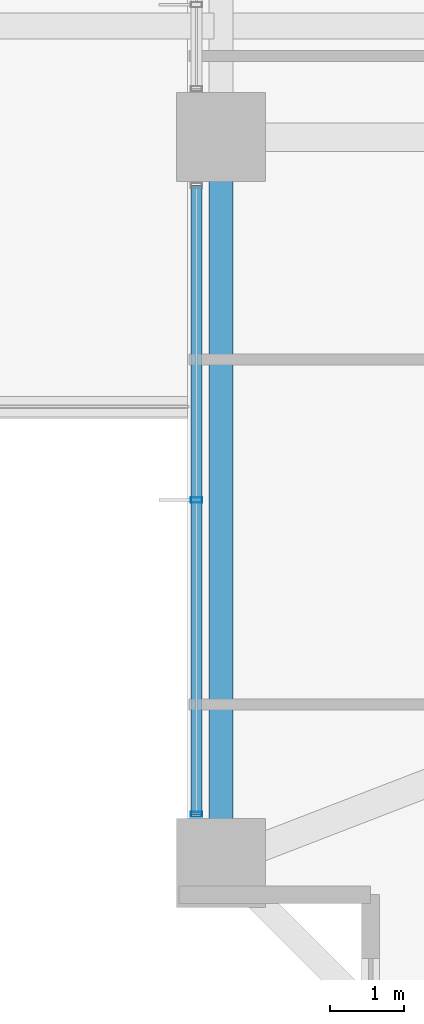
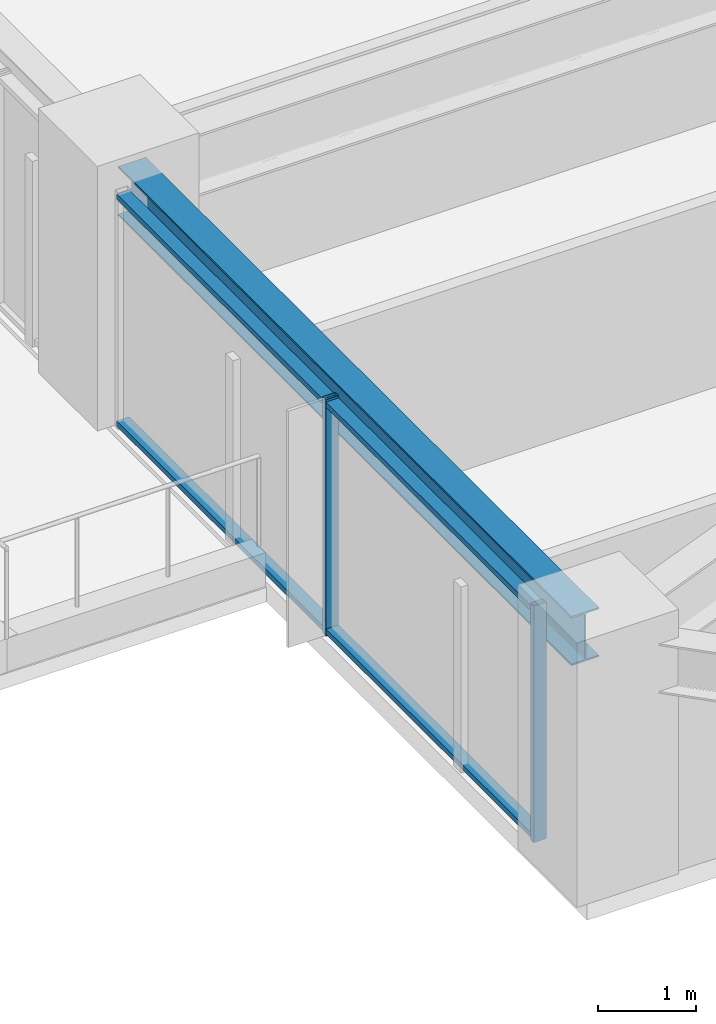
# One storey, part 3 of 38: 4 members, 1 beam, 1 element without a shape of its own.
"""IFC4 building model written with IfcOpenShell, lengths in metres."""

import ifcopenshell
import ifcopenshell.guid

model = None  # the IFC model being written
_history = None  # IfcOwnerHistory: only IFC2X3 demands one
_inside = {}  # id of a spatial element -> (the spatial element, [elements in it])
_under = {}  # id of a project, library or spatial element -> (it, [spatial elements below it])
_declared = {}  # id of a project -> (the project, [libraries it declares])
_typed = {}  # id of a type object -> (the type object, [elements of that type])
_made_of = {}  # id of a material, layer set ... -> (it, [elements and type objects made of it])


def new_model(schema):
    """Start an empty IFC model of exactly this schema.

    Asked for "IFC4X3", IfcOpenShell would pick the latest addendum, in which some entities
    have other attributes; the version numbers below select the first issue.
    IFC2X3 requires an IfcOwnerHistory on every rooted entity: one is made here for all.
    """
    global model, _history
    if schema == "IFC4X3":
        model = ifcopenshell.file(schema_version=(4, 3, 0, 0))
    else:
        model = ifcopenshell.file(schema=schema)
    _inside.clear()
    _under.clear()
    _declared.clear()
    _typed.clear()
    _made_of.clear()
    _history = None
    if model.schema == "IFC2X3":
        org = make("IfcOrganization", Name="unknown")
        user = make(
            "IfcPersonAndOrganization",
            ThePerson=make("IfcPerson", FamilyName="unknown"),
            TheOrganization=org,
        )
        app = make(
            "IfcApplication",
            ApplicationDeveloper=org,
            Version="unknown",
            ApplicationFullName="unknown",
            ApplicationIdentifier="unknown",
        )
        _history = make(
            "IfcOwnerHistory",
            OwningUser=user,
            OwningApplication=app,
            ChangeAction="ADDED",
            CreationDate=0,
        )
    return model


def make(cls, **values):
    """One entity of the class cls with the attributes given. An attribute that is None is left unset."""
    return model.create_entity(
        cls, **{name: value for name, value in values.items() if value is not None}
    )


def rooted(cls, **values):
    """An entity with a GlobalId (a new one), such as an element, a storey or a relation."""
    return make(cls, GlobalId=ifcopenshell.guid.new(), OwnerHistory=_history, **values)


def si_unit(unit_type, name, prefix=None):
    """IfcSIUnit, for example si_unit("LENGTHUNIT", "METRE", prefix="MILLI")."""
    return make("IfcSIUnit", UnitType=unit_type, Prefix=prefix, Name=name)


def assignment(units):
    """IfcUnitAssignment: the units of a project."""
    return None if units is None else make("IfcUnitAssignment", Units=units)


def point(xyz):
    """IfcCartesianPoint."""
    return None if xyz is None else make("IfcCartesianPoint", Coordinates=xyz)


def direction(xyz):
    """IfcDirection."""
    return None if xyz is None else make("IfcDirection", DirectionRatios=xyz)


def frame(location, z_axis=None, x_axis=None):
    """IfcAxis2Placement3D, a coordinate frame: its origin and axes. An axis left out is left unset."""
    return make(
        "IfcAxis2Placement3D",
        Location=point(location),
        Axis=direction(z_axis),
        RefDirection=direction(x_axis),
    )


def frame_2d(location, x_axis=None):
    """IfcAxis2Placement2D, a coordinate frame in the plane: its origin and x axis."""
    return make(
        "IfcAxis2Placement2D", Location=point(location), RefDirection=direction(x_axis)
    )


def origin():
    """The frame at (0, 0, 0) with its axes left unset."""
    return frame((0.0, 0.0, 0.0))


def origin_2d():
    """The frame at (0, 0) in the plane with its x axis left unset."""
    return frame_2d((0.0, 0.0))


def place(relative_to, where):
    """IfcLocalPlacement: puts the frame where relative to a parent placement (None: the world)."""
    return make(
        "IfcLocalPlacement", PlacementRelTo=relative_to, RelativePlacement=where
    )


def context(
    kind, dimensions, precision=None, world=None, true_north=None, identifier=None
):
    """IfcGeometricRepresentationContext, for example the 3D "Model" context."""
    return make(
        "IfcGeometricRepresentationContext",
        ContextIdentifier=identifier,
        ContextType=kind,
        CoordinateSpaceDimension=dimensions,
        Precision=precision,
        WorldCoordinateSystem=world,
        TrueNorth=true_north,
    )


def subcontext(parent, identifier, kind, view, scale=None):
    """IfcGeometricRepresentationSubContext, for example "Body" below "Model"."""
    return make(
        "IfcGeometricRepresentationSubContext",
        ContextIdentifier=identifier,
        ContextType=kind,
        ParentContext=parent,
        TargetScale=scale,
        TargetView=view,
    )


def project(units=None, contexts=None):
    """IfcProject with its units and contexts."""
    return rooted(
        "IfcProject",
        Name="project",
        RepresentationContexts=contexts,
        UnitsInContext=assignment(units),
    )


def spatial(cls, under=None, at=None, **own):
    """A site, building, storey or space (cls), placed at a placement, below another one or the project."""
    s = rooted(cls, ObjectPlacement=at, **own)
    if under is not None:
        _under.setdefault(under.id(), (under, []))[1].append(s)
    return s


def profile(cls, at=None, kind="AREA", **sizes):
    """A parametric profile (cls). Its sizes go by their IFC names, for example OverallWidth=200.0."""
    return make(cls, ProfileType=kind, Position=at, **sizes)


def hollow_rectangle(**sizes):
    """IfcRectangleHollowProfileDef."""
    return profile("IfcRectangleHollowProfileDef", **sizes)


def i_section(**sizes):
    """IfcIShapeProfileDef."""
    return profile("IfcIShapeProfileDef", **sizes)


def extrude(swept, where, along, depth):
    """IfcExtrudedAreaSolid: the profile swept, set in the frame where, extruded along a direction by depth."""
    return make(
        "IfcExtrudedAreaSolid",
        SweptArea=swept,
        Position=where,
        ExtrudedDirection=direction(along),
        Depth=depth,
    )


def shape(context_of_items, identifier, shape_type, items):
    """IfcShapeRepresentation: the items that make up one representation, for example the "Body"."""
    return make(
        "IfcShapeRepresentation",
        ContextOfItems=context_of_items,
        RepresentationIdentifier=identifier,
        RepresentationType=shape_type,
        Items=items,
    )


def material(Name=None, Category=None):
    """IfcMaterial."""
    return make("IfcMaterial", Name=Name, Category=Category)


def material_profile(
    of_material, cross_section, Name=None, Category=None, Priority=None
):
    """IfcMaterialProfile: a cross section and its material."""
    return make(
        "IfcMaterialProfile",
        Name=Name,
        Material=of_material,
        Profile=cross_section,
        Priority=Priority,
        Category=Category,
    )


def profile_set(profiles, Name=None, composite=None):
    """IfcMaterialProfileSet."""
    return make(
        "IfcMaterialProfileSet",
        Name=Name,
        MaterialProfiles=profiles,
        CompositeProfile=composite,
    )


def made_of(thing, what):
    """Note that an element or type object is made of a material, layer set ...; save() writes the relation."""
    if what is not None:
        _made_of.setdefault(what.id(), (what, []))[1].append(thing)
    return thing


def type_object(cls, material=None, **own):
    """A type object (cls), such as IfcWallType, which elements share."""
    return made_of(rooted(cls, **own), material)


def element(
    cls,
    number,
    at=None,
    inside=None,
    cuts=None,
    type_object=None,
    material=None,
    context=None,
    identifier="Body",
    shape_type=None,
    held_by="IfcProductDefinitionShape",
    body=None,
    shapes=None,
    **own,
):
    """One element of the class cls, such as IfcWall. Its Tag is "e" and its number.

    at: its placement. inside: the storey or other place that contains it. cuts: it is an
    opening in that element (IfcRelVoidsElement). A single representation is given by context,
    identifier, shape_type and body (its items); several are given by shapes. held_by: the class
    of the entity that holds the representations. save() writes the other relations.
    """
    e = rooted(cls, Tag="e%d" % number, ObjectPlacement=at, **own)
    if body is not None:
        shapes = [shape(context, identifier, shape_type, body)]
    if shapes is not None:
        e.Representation = make(held_by, Representations=shapes)
    if inside is not None:
        _inside.setdefault(inside.id(), (inside, []))[1].append(e)
    if cuts is not None:
        rooted(
            "IfcRelVoidsElement", RelatingBuildingElement=cuts, RelatedOpeningElement=e
        )
    if type_object is not None:
        _typed.setdefault(type_object.id(), (type_object, []))[1].append(e)
    return made_of(e, material)


def aggregate(whole, parts):
    """IfcRelAggregates: a whole, such as a stair, and the parts it consists of."""
    return rooted("IfcRelAggregates", RelatingObject=whole, RelatedObjects=parts)


def save(model, path):
    """Write the relations noted so far, then the file.

    IfcRelAggregates (storeys below a building ...), IfcRelContainedInSpatialStructure (elements
    in a storey), IfcRelDefinesByType, IfcRelAssociatesMaterial and IfcRelDeclares: one each for
    every whole, place, type object, material and project.
    """
    for whole, parts in _under.values():
        aggregate(whole, parts)
    for where, things in _inside.values():
        rooted(
            "IfcRelContainedInSpatialStructure",
            RelatedElements=things,
            RelatingStructure=where,
        )
    for kind, things in _typed.values():
        rooted("IfcRelDefinesByType", RelatedObjects=things, RelatingType=kind)
    for what, things in _made_of.values():
        rooted("IfcRelAssociatesMaterial", RelatedObjects=things, RelatingMaterial=what)
    for by, libraries in _declared.values():
        rooted("IfcRelDeclares", RelatingContext=by, RelatedDefinitions=libraries)
    model.write(path)


model = new_model("IFC4")

# Units and contexts
model_context = context("Model", 3, precision=1e-05, world=origin(), true_north=direction((0.0, 1.0)))
body_context = subcontext(model_context, "Body", "Model", "MODEL_VIEW")
ifc_project = project(units=[si_unit("LENGTHUNIT", "METRE"), si_unit("AREAUNIT", "SQUARE_METRE"), si_unit("VOLUMEUNIT", "CUBIC_METRE"), si_unit("PLANEANGLEUNIT", "RADIAN"), si_unit("MASSUNIT", "GRAM", prefix="KILO")], contexts=[model_context])

# Site, building, storey
site_placement = place(None, origin())
site = spatial("IfcSite", under=ifc_project, at=site_placement, CompositionType="ELEMENT")
building_placement = place(site_placement, origin())
building = spatial("IfcBuilding", under=site, at=building_placement, Name="Kolvaren Belvedere", CompositionType="ELEMENT")
storey_placement = place(building_placement, frame((0.0, 0.0, 60.10009765625)))
storey = spatial("IfcBuildingStorey", under=building, at=storey_placement, Name="L17", CompositionType="ELEMENT", Elevation=60.10009765625)

# Beam
ifc_material_1 = material(Name="Structural steel ASTM A992 Grade 50", Category="steel")
ifc_material_profile_1 = material_profile(ifc_material_1, i_section(OverallWidth=0.324951171875, OverallDepth=0.615966796875, WebThickness=0.013916015625, FlangeThickness=0.021484375, FilletRadius=0.02001953125, at=origin_2d()), Name="W24X117")
ifc_profile_set_1 = profile_set([ifc_material_profile_1], Name="Structural steel ASTM A992 Grade 50")
beam_type = type_object("IfcBeamType", Name="BM-SPAN-W24X117", PredefinedType="SPANDREL", material=ifc_profile_set_1)
beam_placement = place(storey_placement, frame((-21.550048828125, -4.8701171875, 2.641845703125), z_axis=(0.0, -1.0, 0.0), x_axis=(1.0, 0.0, 0.0)))
element("IfcBeam", 1, at=beam_placement, inside=storey, type_object=beam_type, Name="L17 Perimeter Spandrel W2-W1", PredefinedType="SPANDREL", context=body_context, shape_type="SweptSolid", body=[
    extrude(i_section(OverallWidth=0.324951171875, OverallDepth=0.615966796875, WebThickness=0.013916015625, FlangeThickness=0.021484375, FilletRadius=0.02001953125, at=origin_2d()), origin(), (0.0, 0.0, 1.0), 9.259765625),
])

# Curtain wall, members
ifc_material_2 = material(Name="Anodised pale-metal aluminium AA 6063-T6", Category="aluminium")
curtain_wall_type = type_object("IfcCurtainWallType", Name="CW-Z1-LOW", PredefinedType="NOTDEFINED", material=ifc_material_2)
curtain_wall_placement = place(storey_placement, origin())
curtain_wall = element("IfcCurtainWall", 2, at=curtain_wall_placement, inside=storey, type_object=curtain_wall_type, Name="L17 Unitised Curtain Wall FCW-L17-W1-B1", PredefinedType="NOTDEFINED")
ifc_material_3 = material(Name="Anodised pale-metal aluminium AA 6063-T6", Category="aluminium")
ifc_material_profile_2 = material_profile(ifc_material_3, hollow_rectangle(XDim=0.070068359375, YDim=0.14990234375, WallThickness=0.004150390625, at=origin_2d()), Name="ALU-MUL-150X70")
ifc_profile_set_2 = profile_set([ifc_material_profile_2], Name="Anodised pale-metal aluminium AA 6063-T6")
member_type_1 = type_object("IfcMemberType", Name="CW-MUL-150", PredefinedType="MULLION", material=ifc_profile_set_2)
member_1_placement = place(storey_placement, frame((-21.8798828125, -13.7451171875, 0.0), z_axis=(0.0, 0.0, 1.0), x_axis=(0.0, 1.0, 0.0)))
member_1 = element("IfcMember", 3, at=member_1_placement, type_object=member_type_1, Name="FCW-L17-W1-B1 Unitised Mullion 1", PredefinedType="MULLION", context=body_context, shape_type="SweptSolid", body=[
    extrude(hollow_rectangle(XDim=0.070068359375, YDim=0.14990234375, WallThickness=0.004150390625, at=origin_2d()), origin(), (0.0, 0.0, 1.0), 2.949951171875),
])
member_2_placement = place(storey_placement, frame((-21.8798828125, -9.5, 0.0), z_axis=(0.0, 0.0, 1.0), x_axis=(0.0, 1.0, 0.0)))
member_2 = element("IfcMember", 4, at=member_2_placement, type_object=member_type_1, Name="FCW-L17-W1-B1 Unitised Mullion 2", PredefinedType="MULLION", context=body_context, shape_type="SweptSolid", body=[
    extrude(hollow_rectangle(XDim=0.070068359375, YDim=0.14990234375, WallThickness=0.004150390625, at=origin_2d()), origin(), (0.0, 0.0, 1.0), 2.949951171875),
])
ifc_material_4 = material(Name="Anodised pale-metal aluminium AA 6063-T6", Category="aluminium")
ifc_material_profile_3 = material_profile(ifc_material_4, hollow_rectangle(XDim=0.06494140625, YDim=0.14990234375, WallThickness=0.00390625, at=origin_2d()), Name="ALU-TRN-150X65")
ifc_profile_set_3 = profile_set([ifc_material_profile_3], Name="Anodised pale-metal aluminium AA 6063-T6")
member_type_2 = type_object("IfcMemberType", Name="CW-TRN-150", PredefinedType="USERDEFINED", material=ifc_profile_set_3)
member_3_placement = place(storey_placement, frame((-21.8798828125, -13.7451171875, 0.059814453125), z_axis=(0.0, 1.0, 0.0), x_axis=(0.0, 0.0, 1.0)))
member_3 = element("IfcMember", 5, at=member_3_placement, type_object=member_type_2, Name="FCW-L17-W1-B1 Sill Transom", ObjectType="TRANSOM", PredefinedType="USERDEFINED", context=body_context, shape_type="SweptSolid", body=[
    extrude(hollow_rectangle(XDim=0.06494140625, YDim=0.14990234375, WallThickness=0.00390625, at=origin_2d()), origin(), (0.0, 0.0, 1.0), 8.490234375),
])
member_4_placement = place(storey_placement, frame((-21.8798828125, -13.7451171875, 2.889892578125), z_axis=(0.0, 1.0, 0.0), x_axis=(0.0, 0.0, 1.0)))
member_4 = element("IfcMember", 6, at=member_4_placement, type_object=member_type_2, Name="FCW-L17-W1-B1 Head Transom", ObjectType="TRANSOM", PredefinedType="USERDEFINED", context=body_context, shape_type="SweptSolid", body=[
    extrude(hollow_rectangle(XDim=0.06494140625, YDim=0.14990234375, WallThickness=0.00390625, at=origin_2d()), origin(), (0.0, 0.0, 1.0), 8.490234375),
])
aggregate(curtain_wall, [member_1, member_2, member_3, member_4])

save(model, "model.ifc")
